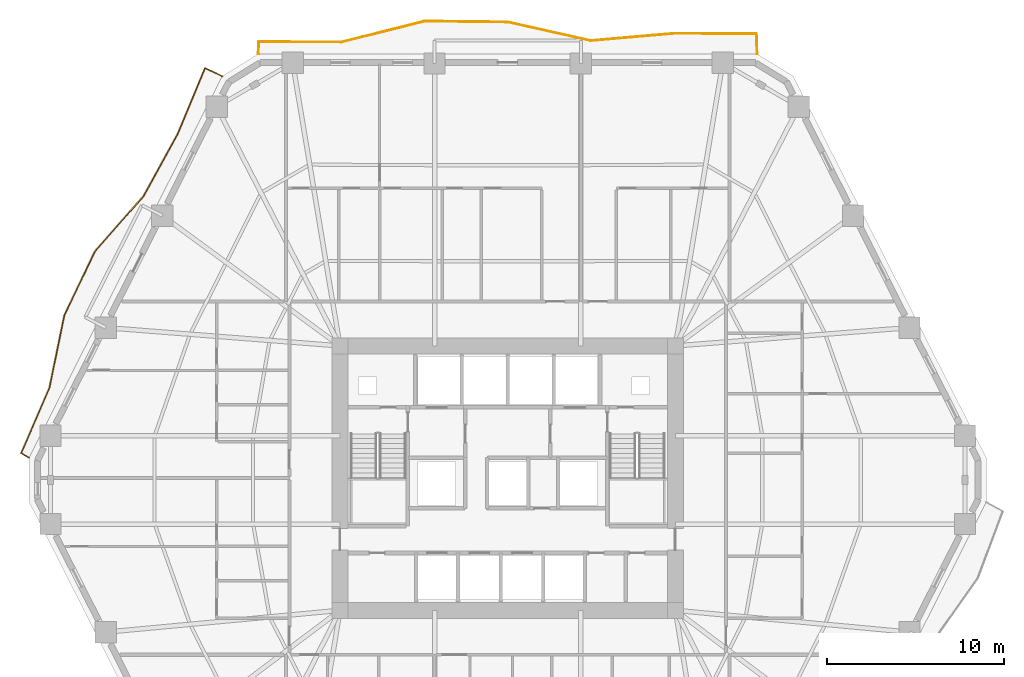
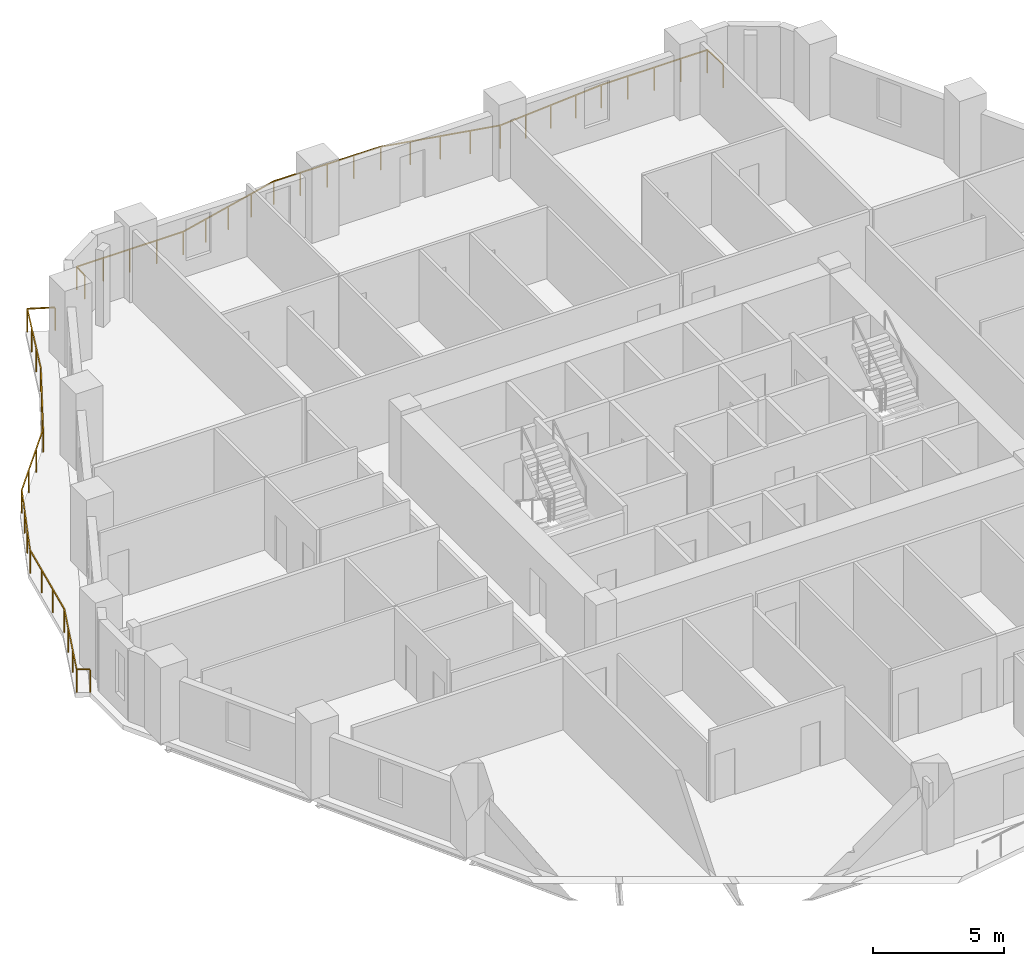
# One storey, part 12 of 12: 2 railings.
"""IFC4 building model written with IfcOpenShell, lengths in metres."""

import ifcopenshell
import ifcopenshell.guid

model = None  # the IFC model being written
_history = None  # IfcOwnerHistory: only IFC2X3 demands one
_inside = {}  # id of a spatial element -> (the spatial element, [elements in it])
_under = {}  # id of a project, library or spatial element -> (it, [spatial elements below it])
_declared = {}  # id of a project -> (the project, [libraries it declares])
_typed = {}  # id of a type object -> (the type object, [elements of that type])
_made_of = {}  # id of a material, layer set ... -> (it, [elements and type objects made of it])


def new_model(schema):
    """Start an empty IFC model of exactly this schema.

    Asked for "IFC4X3", IfcOpenShell would pick the latest addendum, in which some entities
    have other attributes; the version numbers below select the first issue.
    IFC2X3 requires an IfcOwnerHistory on every rooted entity: one is made here for all.
    """
    global model, _history
    if schema == "IFC4X3":
        model = ifcopenshell.file(schema_version=(4, 3, 0, 0))
    else:
        model = ifcopenshell.file(schema=schema)
    _inside.clear()
    _under.clear()
    _declared.clear()
    _typed.clear()
    _made_of.clear()
    _history = None
    if model.schema == "IFC2X3":
        org = make("IfcOrganization", Name="unknown")
        user = make(
            "IfcPersonAndOrganization",
            ThePerson=make("IfcPerson", FamilyName="unknown"),
            TheOrganization=org,
        )
        app = make(
            "IfcApplication",
            ApplicationDeveloper=org,
            Version="unknown",
            ApplicationFullName="unknown",
            ApplicationIdentifier="unknown",
        )
        _history = make(
            "IfcOwnerHistory",
            OwningUser=user,
            OwningApplication=app,
            ChangeAction="ADDED",
            CreationDate=0,
        )
    return model


def make(cls, **values):
    """One entity of the class cls with the attributes given. An attribute that is None is left unset."""
    return model.create_entity(
        cls, **{name: value for name, value in values.items() if value is not None}
    )


def rooted(cls, **values):
    """An entity with a GlobalId (a new one), such as an element, a storey or a relation."""
    return make(cls, GlobalId=ifcopenshell.guid.new(), OwnerHistory=_history, **values)


def si_unit(unit_type, name, prefix=None):
    """IfcSIUnit, for example si_unit("LENGTHUNIT", "METRE", prefix="MILLI")."""
    return make("IfcSIUnit", UnitType=unit_type, Prefix=prefix, Name=name)


def assignment(units):
    """IfcUnitAssignment: the units of a project."""
    return None if units is None else make("IfcUnitAssignment", Units=units)


def point(xyz):
    """IfcCartesianPoint."""
    return None if xyz is None else make("IfcCartesianPoint", Coordinates=xyz)


def direction(xyz):
    """IfcDirection."""
    return None if xyz is None else make("IfcDirection", DirectionRatios=xyz)


def frame(location, z_axis=None, x_axis=None):
    """IfcAxis2Placement3D, a coordinate frame: its origin and axes. An axis left out is left unset."""
    return make(
        "IfcAxis2Placement3D",
        Location=point(location),
        Axis=direction(z_axis),
        RefDirection=direction(x_axis),
    )


def frame_2d(location, x_axis=None):
    """IfcAxis2Placement2D, a coordinate frame in the plane: its origin and x axis."""
    return make(
        "IfcAxis2Placement2D", Location=point(location), RefDirection=direction(x_axis)
    )


def origin():
    """The frame at (0, 0, 0) with its axes left unset."""
    return frame((0.0, 0.0, 0.0))


def origin_2d():
    """The frame at (0, 0) in the plane with its x axis left unset."""
    return frame_2d((0.0, 0.0))


def place(relative_to, where):
    """IfcLocalPlacement: puts the frame where relative to a parent placement (None: the world)."""
    return make(
        "IfcLocalPlacement", PlacementRelTo=relative_to, RelativePlacement=where
    )


def context(
    kind, dimensions, precision=None, world=None, true_north=None, identifier=None
):
    """IfcGeometricRepresentationContext, for example the 3D "Model" context."""
    return make(
        "IfcGeometricRepresentationContext",
        ContextIdentifier=identifier,
        ContextType=kind,
        CoordinateSpaceDimension=dimensions,
        Precision=precision,
        WorldCoordinateSystem=world,
        TrueNorth=true_north,
    )


def subcontext(parent, identifier, kind, view, scale=None):
    """IfcGeometricRepresentationSubContext, for example "Body" below "Model"."""
    return make(
        "IfcGeometricRepresentationSubContext",
        ContextIdentifier=identifier,
        ContextType=kind,
        ParentContext=parent,
        TargetScale=scale,
        TargetView=view,
    )


def project(units=None, contexts=None):
    """IfcProject with its units and contexts."""
    return rooted(
        "IfcProject",
        Name="project",
        RepresentationContexts=contexts,
        UnitsInContext=assignment(units),
    )


def spatial(cls, under=None, at=None, **own):
    """A site, building, storey or space (cls), placed at a placement, below another one or the project."""
    s = rooted(cls, ObjectPlacement=at, **own)
    if under is not None:
        _under.setdefault(under.id(), (under, []))[1].append(s)
    return s


def profile(cls, at=None, kind="AREA", **sizes):
    """A parametric profile (cls). Its sizes go by their IFC names, for example OverallWidth=200.0."""
    return make(cls, ProfileType=kind, Position=at, **sizes)


def rectangle(**sizes):
    """IfcRectangleProfileDef."""
    return profile("IfcRectangleProfileDef", **sizes)


def extrude(swept, where, along, depth):
    """IfcExtrudedAreaSolid: the profile swept, set in the frame where, extruded along a direction by depth."""
    return make(
        "IfcExtrudedAreaSolid",
        SweptArea=swept,
        Position=where,
        ExtrudedDirection=direction(along),
        Depth=depth,
    )


def shape(context_of_items, identifier, shape_type, items):
    """IfcShapeRepresentation: the items that make up one representation, for example the "Body"."""
    return make(
        "IfcShapeRepresentation",
        ContextOfItems=context_of_items,
        RepresentationIdentifier=identifier,
        RepresentationType=shape_type,
        Items=items,
    )


def material(Name=None, Category=None):
    """IfcMaterial."""
    return make("IfcMaterial", Name=Name, Category=Category)


def made_of(thing, what):
    """Note that an element or type object is made of a material, layer set ...; save() writes the relation."""
    if what is not None:
        _made_of.setdefault(what.id(), (what, []))[1].append(thing)
    return thing


def type_object(cls, material=None, **own):
    """A type object (cls), such as IfcWallType, which elements share."""
    return made_of(rooted(cls, **own), material)


def element(
    cls,
    number,
    at=None,
    inside=None,
    cuts=None,
    type_object=None,
    material=None,
    context=None,
    identifier="Body",
    shape_type=None,
    held_by="IfcProductDefinitionShape",
    body=None,
    shapes=None,
    **own,
):
    """One element of the class cls, such as IfcWall. Its Tag is "e" and its number.

    at: its placement. inside: the storey or other place that contains it. cuts: it is an
    opening in that element (IfcRelVoidsElement). A single representation is given by context,
    identifier, shape_type and body (its items); several are given by shapes. held_by: the class
    of the entity that holds the representations. save() writes the other relations.
    """
    e = rooted(cls, Tag="e%d" % number, ObjectPlacement=at, **own)
    if body is not None:
        shapes = [shape(context, identifier, shape_type, body)]
    if shapes is not None:
        e.Representation = make(held_by, Representations=shapes)
    if inside is not None:
        _inside.setdefault(inside.id(), (inside, []))[1].append(e)
    if cuts is not None:
        rooted(
            "IfcRelVoidsElement", RelatingBuildingElement=cuts, RelatedOpeningElement=e
        )
    if type_object is not None:
        _typed.setdefault(type_object.id(), (type_object, []))[1].append(e)
    return made_of(e, material)


def aggregate(whole, parts):
    """IfcRelAggregates: a whole, such as a stair, and the parts it consists of."""
    return rooted("IfcRelAggregates", RelatingObject=whole, RelatedObjects=parts)


def save(model, path):
    """Write the relations noted so far, then the file.

    IfcRelAggregates (storeys below a building ...), IfcRelContainedInSpatialStructure (elements
    in a storey), IfcRelDefinesByType, IfcRelAssociatesMaterial and IfcRelDeclares: one each for
    every whole, place, type object, material and project.
    """
    for whole, parts in _under.values():
        aggregate(whole, parts)
    for where, things in _inside.values():
        rooted(
            "IfcRelContainedInSpatialStructure",
            RelatedElements=things,
            RelatingStructure=where,
        )
    for kind, things in _typed.values():
        rooted("IfcRelDefinesByType", RelatedObjects=things, RelatingType=kind)
    for what, things in _made_of.values():
        rooted("IfcRelAssociatesMaterial", RelatedObjects=things, RelatingMaterial=what)
    for by, libraries in _declared.values():
        rooted("IfcRelDeclares", RelatingContext=by, RelatedDefinitions=libraries)
    model.write(path)


model = new_model("IFC4")

# Units and contexts
model_context = context("Model", 3, precision=1e-05, world=origin(), true_north=direction((0.0, 1.0)))
body_context = subcontext(model_context, "Body", "Model", "MODEL_VIEW")
ifc_project = project(units=[si_unit("LENGTHUNIT", "METRE"), si_unit("AREAUNIT", "SQUARE_METRE"), si_unit("VOLUMEUNIT", "CUBIC_METRE"), si_unit("PLANEANGLEUNIT", "RADIAN"), si_unit("MASSUNIT", "GRAM", prefix="KILO")], contexts=[model_context])

# Site, building, storey
site_placement = place(None, origin())
site = spatial("IfcSite", under=ifc_project, at=site_placement, CompositionType="ELEMENT")
building_placement = place(site_placement, origin())
building = spatial("IfcBuilding", under=site, at=building_placement, Name="Cinnabar Lancet Tower", CompositionType="ELEMENT")
storey_placement = place(building_placement, frame((0.0, 0.0, 28.449951171875)))
storey = spatial("IfcBuildingStorey", under=building, at=storey_placement, Name="L06", CompositionType="ELEMENT", Elevation=28.449951171875)

# Railings
ifc_material = material(Name="Laminated safety glass and bronze stainless steel balustrade", Category="steel")
railing_type = type_object("IfcRailingType", Name="ENV-RLG-BAL-1100", PredefinedType="BALUSTRADE", material=ifc_material)
railing_1_placement = place(storey_placement, frame((46.4560546875, 49.800048828125, 0.0)))
element("IfcRailing", 1, at=railing_1_placement, inside=storey, type_object=railing_type, Name="L06 Face 4 Wave Balcony Balustrade", PredefinedType="BALUSTRADE", context=body_context, shape_type="SweptSolid", body=[
    extrude(rectangle(XDim=0.048095703125, YDim=0.048095703125, at=origin_2d()), frame((0.0, 0.0, 1.076171875), z_axis=(-0.029599296215, 0.999561844842, 0.0), x_axis=(-0.999561844842, -0.029599296215, 0.0)), (0.0, 0.0, 1.0), 1.146484375),
    extrude(rectangle(XDim=0.048095703125, YDim=0.048095703125, at=origin_2d()), frame((-0.033935546875, 1.14599609375, 1.076171875), z_axis=(-0.999999454572, 0.001044440393, 0.0), x_axis=(-0.001044440393, -0.999999454572, 0.0)), (0.0, 0.0, 1.0), 4.675048828125),
    extrude(rectangle(XDim=0.048095703125, YDim=0.048095703125, at=origin_2d()), frame((-4.708984375, 1.15087890625, 1.076171875), z_axis=(-0.996268064467, -0.086313056502, 0.0), x_axis=(0.086313056502, -0.996268064467, 0.0)), (0.0, 0.0, 1.0), 4.692626953125),
    extrude(rectangle(XDim=0.048095703125, YDim=0.048095703125, at=origin_2d()), frame((-9.384033203125, 0.745849609375, 1.076171875), z_axis=(-0.97570602162, 0.219083909437, 0.0), x_axis=(-0.219083909437, -0.97570602162, 0.0)), (0.0, 0.0, 1.0), 4.788330078125),
    extrude(rectangle(XDim=0.048095703125, YDim=0.048095703125, at=origin_2d()), frame((-14.05615234375, 1.794921875, 1.076171875), z_axis=(-0.999942646953, 0.010709939531, 0.0), x_axis=(-0.010709939531, -0.999942646953, 0.0)), (0.0, 0.0, 1.0), 4.673095703125),
    extrude(rectangle(XDim=0.048095703125, YDim=0.048095703125, at=origin_2d()), frame((-18.72900390625, 1.844970703125, 1.076171875), z_axis=(-0.969810774079, -0.243858693675, 0.0), x_axis=(0.243858693675, -0.969810774079, 0.0)), (0.0, 0.0, 1.0), 4.818603515625),
    extrude(rectangle(XDim=0.048095703125, YDim=0.048095703125, at=origin_2d()), frame((-23.402099609375, 0.669921875, 1.076171875), z_axis=(-0.999995569787, 0.002976643557, 0.0), x_axis=(-0.002976643557, -0.999995569787, 0.0)), (0.0, 0.0, 1.0), 4.675048828125),
    extrude(rectangle(XDim=0.048095703125, YDim=0.048095703125, at=origin_2d()), frame((-28.0771484375, 0.683837890625, 1.076171875), z_axis=(-0.050986791808, -0.998699327656, 0.0), x_axis=(0.998699327656, -0.050986791808, 0.0)), (0.0, 0.0, 1.0), 0.684814453125),
    extrude(rectangle(XDim=0.0419921875, YDim=0.0419921875, at=origin_2d()), origin(), (0.0, 0.0, 1.0), 1.052001953125),
    extrude(rectangle(XDim=0.0419921875, YDim=0.0419921875, at=origin_2d()), frame((-0.033935546875, 1.14599609375, 0.0)), (0.0, 0.0, 1.0), 1.052001953125),
    extrude(rectangle(XDim=0.0419921875, YDim=0.0419921875, at=origin_2d()), frame((-1.20263671875, 1.147216796875, 0.0)), (0.0, 0.0, 1.0), 1.052001953125),
    extrude(rectangle(XDim=0.0419921875, YDim=0.0419921875, at=origin_2d()), frame((-2.37158203125, 1.1484375, 0.0)), (0.0, 0.0, 1.0), 1.052001953125),
    extrude(rectangle(XDim=0.0419921875, YDim=0.0419921875, at=origin_2d()), frame((-3.540283203125, 1.149658203125, 0.0)), (0.0, 0.0, 1.0), 1.052001953125),
    extrude(rectangle(XDim=0.0419921875, YDim=0.0419921875, at=origin_2d()), frame((-4.708984375, 1.15087890625, 0.0)), (0.0, 0.0, 1.0), 1.052001953125),
    extrude(rectangle(XDim=0.0419921875, YDim=0.0419921875, at=origin_2d()), frame((-5.877685546875, 1.049560546875, 0.0)), (0.0, 0.0, 1.0), 1.052001953125),
    extrude(rectangle(XDim=0.0419921875, YDim=0.0419921875, at=origin_2d()), frame((-7.04638671875, 0.9482421875, 0.0)), (0.0, 0.0, 1.0), 1.052001953125),
    extrude(rectangle(XDim=0.0419921875, YDim=0.0419921875, at=origin_2d()), frame((-8.21533203125, 0.84716796875, 0.0)), (0.0, 0.0, 1.0), 1.052001953125),
    extrude(rectangle(XDim=0.0419921875, YDim=0.0419921875, at=origin_2d()), frame((-9.384033203125, 0.745849609375, 0.0)), (0.0, 0.0, 1.0), 1.052001953125),
    extrude(rectangle(XDim=0.0419921875, YDim=0.0419921875, at=origin_2d()), frame((-10.552001953125, 1.008056640625, 0.0)), (0.0, 0.0, 1.0), 1.052001953125),
    extrude(rectangle(XDim=0.0419921875, YDim=0.0419921875, at=origin_2d()), frame((-11.72021484375, 1.2705078125, 0.0)), (0.0, 0.0, 1.0), 1.052001953125),
    extrude(rectangle(XDim=0.0419921875, YDim=0.0419921875, at=origin_2d()), frame((-12.88818359375, 1.53271484375, 0.0)), (0.0, 0.0, 1.0), 1.052001953125),
    extrude(rectangle(XDim=0.0419921875, YDim=0.0419921875, at=origin_2d()), frame((-14.05615234375, 1.794921875, 0.0)), (0.0, 0.0, 1.0), 1.052001953125),
    extrude(rectangle(XDim=0.0419921875, YDim=0.0419921875, at=origin_2d()), frame((-15.224365234375, 1.807373046875, 0.0)), (0.0, 0.0, 1.0), 1.052001953125),
    extrude(rectangle(XDim=0.0419921875, YDim=0.0419921875, at=origin_2d()), frame((-16.392578125, 1.81982421875, 0.0)), (0.0, 0.0, 1.0), 1.052001953125),
    extrude(rectangle(XDim=0.0419921875, YDim=0.0419921875, at=origin_2d()), frame((-17.560791015625, 1.83251953125, 0.0)), (0.0, 0.0, 1.0), 1.052001953125),
    extrude(rectangle(XDim=0.0419921875, YDim=0.0419921875, at=origin_2d()), frame((-18.72900390625, 1.844970703125, 0.0)), (0.0, 0.0, 1.0), 1.052001953125),
    extrude(rectangle(XDim=0.0419921875, YDim=0.0419921875, at=origin_2d()), frame((-19.897216796875, 1.55126953125, 0.0)), (0.0, 0.0, 1.0), 1.052001953125),
    extrude(rectangle(XDim=0.0419921875, YDim=0.0419921875, at=origin_2d()), frame((-21.0654296875, 1.25732421875, 0.0)), (0.0, 0.0, 1.0), 1.052001953125),
    extrude(rectangle(XDim=0.0419921875, YDim=0.0419921875, at=origin_2d()), frame((-22.23388671875, 0.963623046875, 0.0)), (0.0, 0.0, 1.0), 1.052001953125),
    extrude(rectangle(XDim=0.0419921875, YDim=0.0419921875, at=origin_2d()), frame((-23.402099609375, 0.669921875, 0.0)), (0.0, 0.0, 1.0), 1.052001953125),
    extrude(rectangle(XDim=0.0419921875, YDim=0.0419921875, at=origin_2d()), frame((-24.57080078125, 0.67333984375, 0.0)), (0.0, 0.0, 1.0), 1.052001953125),
    extrude(rectangle(XDim=0.0419921875, YDim=0.0419921875, at=origin_2d()), frame((-25.73974609375, 0.6767578125, 0.0)), (0.0, 0.0, 1.0), 1.052001953125),
    extrude(rectangle(XDim=0.0419921875, YDim=0.0419921875, at=origin_2d()), frame((-26.908447265625, 0.680419921875, 0.0)), (0.0, 0.0, 1.0), 1.052001953125),
    extrude(rectangle(XDim=0.0419921875, YDim=0.0419921875, at=origin_2d()), frame((-28.0771484375, 0.683837890625, 0.0)), (0.0, 0.0, 1.0), 1.052001953125),
    extrude(rectangle(XDim=0.0419921875, YDim=0.0419921875, at=origin_2d()), frame((-28.112060546875, 0.0, 0.0)), (0.0, 0.0, 1.0), 1.052001953125),
])
railing_2_placement = place(storey_placement, frame((16.31201171875, 48.551025390625, 0.0)))
element("IfcRailing", 2, at=railing_2_placement, inside=storey, type_object=railing_type, Name="L06 Face 5 Wave Balcony Balustrade", PredefinedType="BALUSTRADE", context=body_context, shape_type="SweptSolid", body=[
    extrude(rectangle(XDim=0.048095703125, YDim=0.048095703125, at=origin_2d()), frame((0.0, 0.0, 1.076171875), z_axis=(-0.905280084122, 0.424815217821, 0.0), x_axis=(-0.424815217821, -0.905280084122, 0.0)), (0.0, 0.0, 1.0), 1.066162109375),
    extrude(rectangle(XDim=0.048095703125, YDim=0.048095703125, at=origin_2d()), frame((-0.965087890625, 0.452880859375, 1.076171875), z_axis=(-0.383839003165, -0.923400032299, 0.0), x_axis=(0.923400032299, -0.383839003165, 0.0)), (0.0, 0.0, 1.0), 4.019775390625),
    extrude(rectangle(XDim=0.048095703125, YDim=0.048095703125, at=origin_2d()), frame((-2.508056640625, -3.259033203125, 1.076171875), z_axis=(-0.48150015201, -0.876446007244, 0.0), x_axis=(0.876446007244, -0.48150015201, 0.0)), (0.0, 0.0, 1.0), 4.008056640625),
    extrude(rectangle(XDim=0.048095703125, YDim=0.048095703125, at=origin_2d()), frame((-4.43798828125, -6.77197265625, 1.076171875), z_axis=(-0.660748920218, -0.750606997323, 0.0), x_axis=(0.750606997323, -0.660748920218, 0.0)), (0.0, 0.0, 1.0), 4.137939453125),
    extrude(rectangle(XDim=0.048095703125, YDim=0.048095703125, at=origin_2d()), frame((-7.172119140625, -9.8779296875, 1.076171875), z_axis=(-0.430513003546, -0.90258437488, 0.0), x_axis=(0.90258437488, -0.430513003546, 0.0)), (0.0, 0.0, 1.0), 4.006591796875),
    extrude(rectangle(XDim=0.048095703125, YDim=0.048095703125, at=origin_2d()), frame((-8.89697265625, -13.494140625, 1.076171875), z_axis=(-0.201111984522, -0.979568256775, 0.0), x_axis=(0.979568256775, -0.201111984522, 0.0)), (0.0, 0.0, 1.0), 4.151611328125),
    extrude(rectangle(XDim=0.048095703125, YDim=0.048095703125, at=origin_2d()), frame((-9.73193359375, -17.56103515625, 1.076171875), z_axis=(-0.396303218777, -0.918119686526, 0.0), x_axis=(0.918119686526, -0.396303218777, 0.0)), (0.0, 0.0, 1.0), 4.0146484375),
    extrude(rectangle(XDim=0.048095703125, YDim=0.048095703125, at=origin_2d()), frame((-11.322998046875, -21.2470703125, 1.076171875), z_axis=(0.866710093157, -0.498812203559, 0.0), x_axis=(0.498812203559, 0.866710093157, 0.0)), (0.0, 0.0, 1.0), 0.510986328125),
    extrude(rectangle(XDim=0.0419921875, YDim=0.0419921875, at=origin_2d()), origin(), (0.0, 0.0, 1.0), 1.052001953125),
    extrude(rectangle(XDim=0.0419921875, YDim=0.0419921875, at=origin_2d()), frame((-0.965087890625, 0.452880859375, 0.0)), (0.0, 0.0, 1.0), 1.052001953125),
    extrude(rectangle(XDim=0.0419921875, YDim=0.0419921875, at=origin_2d()), frame((-1.4794921875, -0.784423828125, 0.0)), (0.0, 0.0, 1.0), 1.052001953125),
    extrude(rectangle(XDim=0.0419921875, YDim=0.0419921875, at=origin_2d()), frame((-1.99365234375, -2.021728515625, 0.0)), (0.0, 0.0, 1.0), 1.052001953125),
    extrude(rectangle(XDim=0.0419921875, YDim=0.0419921875, at=origin_2d()), frame((-2.508056640625, -3.259033203125, 0.0)), (0.0, 0.0, 1.0), 1.052001953125),
    extrude(rectangle(XDim=0.0419921875, YDim=0.0419921875, at=origin_2d()), frame((-3.1513671875, -4.429931640625, 0.0)), (0.0, 0.0, 1.0), 1.052001953125),
    extrude(rectangle(XDim=0.0419921875, YDim=0.0419921875, at=origin_2d()), frame((-3.794677734375, -5.60107421875, 0.0)), (0.0, 0.0, 1.0), 1.052001953125),
    extrude(rectangle(XDim=0.0419921875, YDim=0.0419921875, at=origin_2d()), frame((-4.43798828125, -6.77197265625, 0.0)), (0.0, 0.0, 1.0), 1.052001953125),
    extrude(rectangle(XDim=0.0419921875, YDim=0.0419921875, at=origin_2d()), frame((-5.349365234375, -7.807373046875, 0.0)), (0.0, 0.0, 1.0), 1.052001953125),
    extrude(rectangle(XDim=0.0419921875, YDim=0.0419921875, at=origin_2d()), frame((-6.2607421875, -8.842529296875, 0.0)), (0.0, 0.0, 1.0), 1.052001953125),
    extrude(rectangle(XDim=0.0419921875, YDim=0.0419921875, at=origin_2d()), frame((-7.172119140625, -9.8779296875, 0.0)), (0.0, 0.0, 1.0), 1.052001953125),
    extrude(rectangle(XDim=0.0419921875, YDim=0.0419921875, at=origin_2d()), frame((-7.7470703125, -11.083251953125, 0.0)), (0.0, 0.0, 1.0), 1.052001953125),
    extrude(rectangle(XDim=0.0419921875, YDim=0.0419921875, at=origin_2d()), frame((-8.322021484375, -12.288818359375, 0.0)), (0.0, 0.0, 1.0), 1.052001953125),
    extrude(rectangle(XDim=0.0419921875, YDim=0.0419921875, at=origin_2d()), frame((-8.89697265625, -13.494140625, 0.0)), (0.0, 0.0, 1.0), 1.052001953125),
    extrude(rectangle(XDim=0.0419921875, YDim=0.0419921875, at=origin_2d()), frame((-9.17529296875, -14.849853515625, 0.0)), (0.0, 0.0, 1.0), 1.052001953125),
    extrude(rectangle(XDim=0.0419921875, YDim=0.0419921875, at=origin_2d()), frame((-9.45361328125, -16.205322265625, 0.0)), (0.0, 0.0, 1.0), 1.052001953125),
    extrude(rectangle(XDim=0.0419921875, YDim=0.0419921875, at=origin_2d()), frame((-9.73193359375, -17.56103515625, 0.0)), (0.0, 0.0, 1.0), 1.052001953125),
    extrude(rectangle(XDim=0.0419921875, YDim=0.0419921875, at=origin_2d()), frame((-10.26220703125, -18.789794921875, 0.0)), (0.0, 0.0, 1.0), 1.052001953125),
    extrude(rectangle(XDim=0.0419921875, YDim=0.0419921875, at=origin_2d()), frame((-10.792724609375, -20.018310546875, 0.0)), (0.0, 0.0, 1.0), 1.052001953125),
    extrude(rectangle(XDim=0.0419921875, YDim=0.0419921875, at=origin_2d()), frame((-11.322998046875, -21.2470703125, 0.0)), (0.0, 0.0, 1.0), 1.052001953125),
    extrude(rectangle(XDim=0.0419921875, YDim=0.0419921875, at=origin_2d()), frame((-10.880126953125, -21.501953125, 0.0)), (0.0, 0.0, 1.0), 1.052001953125),
])

save(model, "model.ifc")
